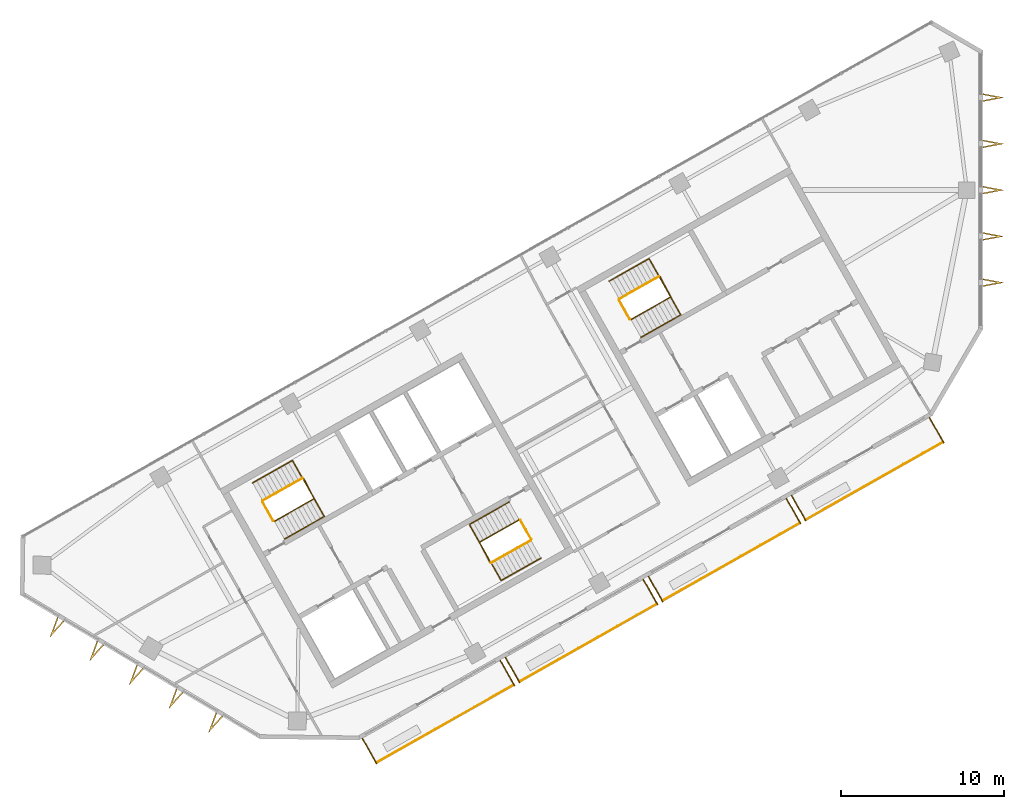
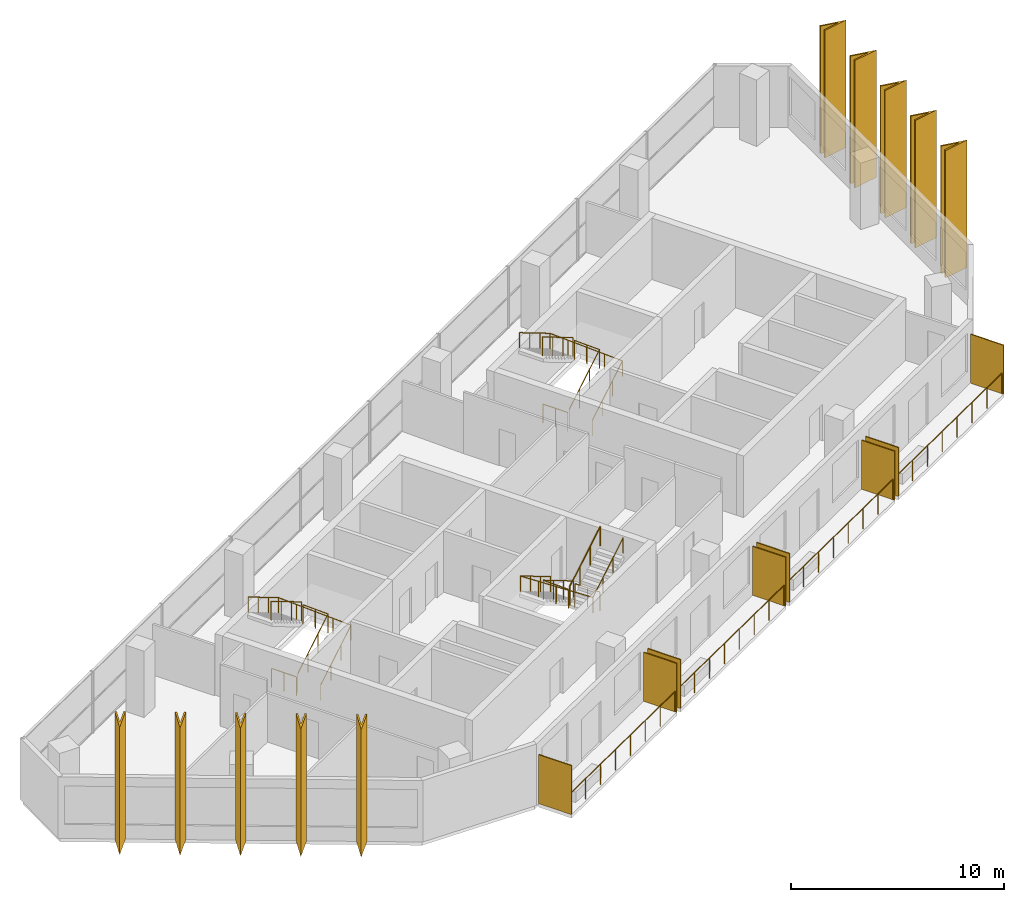
# One storey, part 9 of 10: 18 shading devices, 16 railings.
"""IFC4 building model written with IfcOpenShell, lengths in metres."""

from ifc_helpers import new_model, si_unit, direction, frame, origin, origin_2d, place, context, subcontext, project, spatial, polyline, rectangle, circle, outline, extrude, material, layer, layer_set, type_object, element, save


model = new_model("IFC4")

# Units and contexts
model_context = context("Model", 3, precision=1e-05, world=origin(), true_north=direction((0.0, 1.0)))
body_context = subcontext(model_context, "Body", "Model", "MODEL_VIEW")
ifc_project = project(units=[si_unit("LENGTHUNIT", "METRE"), si_unit("AREAUNIT", "SQUARE_METRE"), si_unit("VOLUMEUNIT", "CUBIC_METRE"), si_unit("PLANEANGLEUNIT", "RADIAN"), si_unit("MASSUNIT", "GRAM", prefix="KILO")], contexts=[model_context])

# Site, building, storey
site_placement = place(None, origin())
site = spatial("IfcSite", under=ifc_project, at=site_placement, CompositionType="ELEMENT")
building_placement = place(site_placement, origin())
building = spatial("IfcBuilding", under=site, at=building_placement, Name="Binnacle Exchange Tower", CompositionType="ELEMENT")
storey_placement = place(building_placement, frame((0.0, 0.0, 339.300048828125)))
storey = spatial("IfcBuildingStorey", under=building, at=storey_placement, Name="L77", CompositionType="ELEMENT", Elevation=339.300048828125)

# Railings
ifc_material_1 = material(Name="Bronze anodised aluminium frame", Category="aluminium")
railing_type_1 = type_object("IfcRailingType", Name="GUARD 1200", PredefinedType="GUARDRAIL", material=ifc_material_1)
for number, where, name in (
    (1, (-37.006591796875, 24.94287109375, 0.0), "Balcony guard H07-B00 L77"),
    (2, (-28.24365234375, 29.900634765625, 0.0), "Balcony guard H07-B01 L77"),
):
    element("IfcRailing", number, at=place(storey_placement, frame(where)), inside=storey, type_object=railing_type_1, Name=name, PredefinedType="GUARDRAIL", context=body_context, shape_type="SweptSolid", body=[
        extrude(circle(Radius=0.02392578125, at=origin_2d()), frame((0.0, 0.0, 1.17578125), z_axis=(0.870359171481, 0.492417417055, 0.0), x_axis=(-0.492417417055, 0.870359171481, 0.0)), (0.0, 0.0, 1.0), 9.648193359375),
        extrude(circle(Radius=0.02099609375, at=origin_2d()), origin(), (0.0, 0.0, 1.0), 1.15185546875),
        extrude(circle(Radius=0.02099609375, at=origin_2d()), frame((1.19970703125, 0.6787109375, 0.0)), (0.0, 0.0, 1.0), 1.15185546875),
        extrude(circle(Radius=0.02099609375, at=origin_2d()), frame((2.399169921875, 1.357421875, 0.0)), (0.0, 0.0, 1.0), 1.15185546875),
        extrude(circle(Radius=0.02099609375, at=origin_2d()), frame((3.598876953125, 2.0361328125, 0.0)), (0.0, 0.0, 1.0), 1.15185546875),
        extrude(circle(Radius=0.02099609375, at=origin_2d()), frame((4.798583984375, 2.71484375, 0.0)), (0.0, 0.0, 1.0), 1.15185546875),
        extrude(circle(Radius=0.02099609375, at=origin_2d()), frame((5.998291015625, 3.3935546875, 0.0)), (0.0, 0.0, 1.0), 1.15185546875),
        extrude(circle(Radius=0.02099609375, at=origin_2d()), frame((7.19775390625, 4.072265625, 0.0)), (0.0, 0.0, 1.0), 1.15185546875),
        extrude(circle(Radius=0.02099609375, at=origin_2d()), frame((8.3974609375, 4.7509765625, 0.0)), (0.0, 0.0, 1.0), 1.15185546875),
    ])
railing_1_placement = place(storey_placement, frame((-19.480712890625, 34.8583984375, 0.0)))
element("IfcRailing", 3, at=railing_1_placement, inside=storey, type_object=railing_type_1, Name="Balcony guard H07-B02 L77", PredefinedType="GUARDRAIL", context=body_context, shape_type="SweptSolid", body=[
    extrude(circle(Radius=0.02392578125, at=origin_2d()), frame((0.0, 0.0, 1.17578125), z_axis=(0.870342190373, 0.492447430349, 0.0), x_axis=(-0.492447430349, 0.870342190373, 0.0)), (0.0, 0.0, 1.0), 9.648193359375),
    extrude(circle(Radius=0.02099609375, at=origin_2d()), origin(), (0.0, 0.0, 1.0), 1.15185546875),
    extrude(circle(Radius=0.02099609375, at=origin_2d()), frame((1.19970703125, 0.6787109375, 0.0)), (0.0, 0.0, 1.0), 1.15185546875),
    extrude(circle(Radius=0.02099609375, at=origin_2d()), frame((2.399169921875, 1.357421875, 0.0)), (0.0, 0.0, 1.0), 1.15185546875),
    extrude(circle(Radius=0.02099609375, at=origin_2d()), frame((3.598876953125, 2.0361328125, 0.0)), (0.0, 0.0, 1.0), 1.15185546875),
    extrude(circle(Radius=0.02099609375, at=origin_2d()), frame((4.79833984375, 2.715087890625, 0.0)), (0.0, 0.0, 1.0), 1.15185546875),
    extrude(circle(Radius=0.02099609375, at=origin_2d()), frame((5.998046875, 3.393798828125, 0.0)), (0.0, 0.0, 1.0), 1.15185546875),
    extrude(circle(Radius=0.02099609375, at=origin_2d()), frame((7.197509765625, 4.072509765625, 0.0)), (0.0, 0.0, 1.0), 1.15185546875),
    extrude(circle(Radius=0.02099609375, at=origin_2d()), frame((8.397216796875, 4.751220703125, 0.0)), (0.0, 0.0, 1.0), 1.15185546875),
])
railing_2_placement = place(storey_placement, frame((-10.7177734375, 39.81640625, 0.0)))
element("IfcRailing", 4, at=railing_2_placement, inside=storey, type_object=railing_type_1, Name="Balcony guard H07-B03 L77", PredefinedType="GUARDRAIL", context=body_context, shape_type="SweptSolid", body=[
    extrude(circle(Radius=0.02392578125, at=origin_2d()), frame((0.0, 0.0, 1.17578125), z_axis=(0.870353035673, 0.492428262079, 0.0), x_axis=(-0.492428262079, 0.870353035673, 0.0)), (0.0, 0.0, 1.0), 9.64794921875),
    extrude(circle(Radius=0.02099609375, at=origin_2d()), origin(), (0.0, 0.0, 1.0), 1.15185546875),
    extrude(circle(Radius=0.02099609375, at=origin_2d()), frame((1.19970703125, 0.6787109375, 0.0)), (0.0, 0.0, 1.0), 1.15185546875),
    extrude(circle(Radius=0.02099609375, at=origin_2d()), frame((2.399169921875, 1.357421875, 0.0)), (0.0, 0.0, 1.0), 1.15185546875),
    extrude(circle(Radius=0.02099609375, at=origin_2d()), frame((3.598876953125, 2.0361328125, 0.0)), (0.0, 0.0, 1.0), 1.15185546875),
    extrude(circle(Radius=0.02099609375, at=origin_2d()), frame((4.79833984375, 2.71484375, 0.0)), (0.0, 0.0, 1.0), 1.15185546875),
    extrude(circle(Radius=0.02099609375, at=origin_2d()), frame((5.998046875, 3.3935546875, 0.0)), (0.0, 0.0, 1.0), 1.15185546875),
    extrude(circle(Radius=0.02099609375, at=origin_2d()), frame((7.197509765625, 4.072265625, 0.0)), (0.0, 0.0, 1.0), 1.15185546875),
    extrude(circle(Radius=0.02099609375, at=origin_2d()), frame((8.397216796875, 4.7509765625, 0.0)), (0.0, 0.0, 1.0), 1.15185546875),
])

# Shading devices
ifc_material_2 = material(Name="Bronze aluminium louvre", Category="aluminium")
ifc_layer = layer(ifc_material_2, 0.06005859375)
ifc_layer_set = layer_set([ifc_layer], Name="PLANTED SCREEN 60x2800")
shading_device_type_1 = type_object("IfcShadingDeviceType", Name="PLANTED SCREEN 60x2800", PredefinedType="USERDEFINED", material=ifc_layer_set)
for number, where, z_axis, x_axis, name in (
    (5, (-37.436279296875, 25.641845703125, 0.0), (0.0, 0.0, 1.0), (0.87035569594, 0.492423560103, 0.0), "Planted screen H07-B00a L77"),
    (6, (-28.98681640625, 30.42236328125, 0.0), (0.0, 0.0, 1.0), (0.87035569594, 0.492423560103, 0.0), "Planted screen H07-B00b L77"),
    (7, (-28.673583984375, 30.599609375, 0.0), (0.0, 0.0, 1.0), (0.87035569594, 0.492423560103, 0.0), "Planted screen H07-B01a L77"),
    (8, (-20.223876953125, 35.380126953125, 0.0), (0.0, 0.0, 1.0), (0.87035569594, 0.492423560103, 0.0), "Planted screen H07-B01b L77"),
    (9, (-19.91064453125, 35.5576171875, 0.0), (0.0, 0.0, 1.0), (0.87035569594, 0.492423560103, 0.0), "Planted screen H07-B02a L77"),
    (10, (-11.461181640625, 40.337890625, 0.0), (0.0, 0.0, 1.0), (0.87035569594, 0.492423560103, 0.0), "Planted screen H07-B02b L77"),
    (11, (-11.147705078125, 40.51513671875, 0.0), (0.0, 0.0, 1.0), (0.87035569594, 0.492423560103, 0.0), "Planted screen H07-B03a L77"),
    (12, (-2.697998046875, 45.2958984375, 0.0), (0.0, 0.0, 1.0), (0.87035569594, 0.492423560103, 0.0), "Planted screen H07-B03b L77"),
):
    element("IfcShadingDevice", number, at=place(storey_placement, frame(where, z_axis=z_axis, x_axis=x_axis)), inside=storey, type_object=shading_device_type_1, Name=name, ObjectType="SCREEN", PredefinedType="USERDEFINED", context=body_context, shape_type="SweptSolid", body=[
        extrude(rectangle(XDim=0.06005859375, YDim=1.800048828125, at=origin_2d()), origin(), (0.0, 0.0, 1.0), 2.800048828125),
    ])

# Railings
ifc_material_3 = material(Name="Steel guard rail", Category="steel")
railing_type_2 = type_object("IfcRailingType", Name="STAIR GUARD 1100", PredefinedType="GUARDRAIL", material=ifc_material_3)
railing_3_placement = place(storey_placement, frame((-43.26171875, 39.71728515625, 0.172607421875)))
element("IfcRailing", 13, at=railing_3_placement, inside=storey, type_object=railing_type_2, Name="L77 STA1 stair guard 1", PredefinedType="GUARDRAIL", context=body_context, shape_type="SweptSolid", body=[
    extrude(circle(Radius=0.02392578125, at=origin_2d()), frame((0.0, 0.0, 1.076171875), z_axis=(0.740737961854, 0.419123222656, 0.525017138862), x_axis=(-0.492453686477, 0.870338650569, 0.0)), (0.0, 0.0, 1.0), 3.2900390625),
    extrude(circle(Radius=0.02392578125, at=origin_2d()), frame((2.43701171875, 1.37890625, 2.80322265625), z_axis=(-0.461100321709, 0.887348011391, 0.0), x_axis=(-0.887348011391, -0.461100321709, 0.0)), (0.0, 0.0, 1.0), 1.40087890625),
    extrude(circle(Radius=0.02099609375, at=origin_2d()), origin(), (0.0, 0.0, 1.0), 1.052001953125),
    extrude(circle(Radius=0.02099609375, at=origin_2d()), frame((0.812255859375, 0.459716796875, 0.57568359375)), (0.0, 0.0, 1.0), 1.052001953125),
    extrude(circle(Radius=0.02099609375, at=origin_2d()), frame((1.624755859375, 0.919189453125, 1.151611328125)), (0.0, 0.0, 1.0), 1.052001953125),
    extrude(circle(Radius=0.02099609375, at=origin_2d()), frame((2.43701171875, 1.37890625, 1.727294921875)), (0.0, 0.0, 1.0), 1.052001953125),
    extrude(circle(Radius=0.02099609375, at=origin_2d()), frame((2.114013671875, 2.00048828125, 1.727294921875)), (0.0, 0.0, 1.0), 1.052001953125),
    extrude(circle(Radius=0.02099609375, at=origin_2d()), frame((1.791015625, 2.6220703125, 1.727294921875)), (0.0, 0.0, 1.0), 1.052001953125),
])
railing_4_placement = place(storey_placement, frame((-41.538818359375, 42.358154296875, 2.07275390625)))
element("IfcRailing", 14, at=railing_4_placement, inside=storey, type_object=railing_type_2, Name="L77 STA1 stair guard 2", PredefinedType="GUARDRAIL", context=body_context, shape_type="SweptSolid", body=[
    extrude(circle(Radius=0.02392578125, at=origin_2d()), frame((0.0, 0.0, 1.076171875), z_axis=(-0.740737961854, -0.419123222656, 0.525017138862), x_axis=(0.492453686477, -0.870338650569, 0.0)), (0.0, 0.0, 1.0), 3.2900390625),
    extrude(circle(Radius=0.02099609375, at=origin_2d()), origin(), (0.0, 0.0, 1.0), 1.052001953125),
    extrude(circle(Radius=0.02099609375, at=origin_2d()), frame((-0.812255859375, -0.459716796875, 0.57568359375)), (0.0, 0.0, 1.0), 1.052001953125),
    extrude(circle(Radius=0.02099609375, at=origin_2d()), frame((-1.624755859375, -0.919189453125, 1.151611328125)), (0.0, 0.0, 1.0), 1.052001953125),
    extrude(circle(Radius=0.02099609375, at=origin_2d()), frame((-2.43701171875, -1.37890625, 1.727294921875)), (0.0, 0.0, 1.0), 1.052001953125),
])
railing_5_placement = place(storey_placement, frame((-43.329833984375, 39.736328125, 0.0)))
element("IfcRailing", 15, at=railing_5_placement, inside=storey, type_object=railing_type_2, Name="L77 STA1 stair guard 3", PredefinedType="GUARDRAIL", context=body_context, shape_type="SweptSolid", body=[
    extrude(circle(Radius=0.02392578125, at=origin_2d()), frame((0.0, 0.0, 1.076171875), z_axis=(-0.4924922531, 0.870316827734, 0.0), x_axis=(-0.870316827734, -0.4924922531, 0.0)), (0.0, 0.0, 1.0), 1.349853515625),
    extrude(circle(Radius=0.02099609375, at=origin_2d()), origin(), (0.0, 0.0, 1.0), 1.052001953125),
    extrude(circle(Radius=0.02099609375, at=origin_2d()), frame((-0.33251953125, 0.58740234375, 0.0)), (0.0, 0.0, 1.0), 1.052001953125),
    extrude(circle(Radius=0.02099609375, at=origin_2d()), frame((-0.664794921875, 1.1748046875, 0.0)), (0.0, 0.0, 1.0), 1.052001953125),
])
railing_6_placement = place(storey_placement, frame((-28.265380859375, 39.814453125, 0.172607421875)))
element("IfcRailing", 16, at=railing_6_placement, inside=storey, type_object=railing_type_2, Name="L77 STA2 stair guard 1", PredefinedType="GUARDRAIL", context=body_context, shape_type="SweptSolid", body=[
    extrude(circle(Radius=0.02392578125, at=origin_2d()), frame((0.0, 0.0, 1.076171875), z_axis=(-0.740760999345, -0.419062048017, 0.525033467278), x_axis=(0.492387636113, -0.870376019777, 0.0)), (0.0, 0.0, 1.0), 3.289794921875),
    extrude(circle(Radius=0.02392578125, at=origin_2d()), frame((-2.43701171875, -1.378662109375, 2.80322265625), z_axis=(0.460963092712, -0.887419307406, 0.0), x_axis=(0.887419307406, 0.460963092712, 0.0)), (0.0, 0.0, 1.0), 1.40087890625),
    extrude(circle(Radius=0.02099609375, at=origin_2d()), origin(), (0.0, 0.0, 1.0), 1.052001953125),
    extrude(circle(Radius=0.02099609375, at=origin_2d()), frame((-0.812255859375, -0.45947265625, 0.57568359375)), (0.0, 0.0, 1.0), 1.052001953125),
    extrude(circle(Radius=0.02099609375, at=origin_2d()), frame((-1.624755859375, -0.919189453125, 1.151611328125)), (0.0, 0.0, 1.0), 1.052001953125),
    extrude(circle(Radius=0.02099609375, at=origin_2d()), frame((-2.43701171875, -1.378662109375, 1.727294921875)), (0.0, 0.0, 1.0), 1.052001953125),
    extrude(circle(Radius=0.02099609375, at=origin_2d()), frame((-2.1142578125, -2.000244140625, 1.727294921875)), (0.0, 0.0, 1.0), 1.052001953125),
    extrude(circle(Radius=0.02099609375, at=origin_2d()), frame((-1.791259765625, -2.621826171875, 1.727294921875)), (0.0, 0.0, 1.0), 1.052001953125),
])
railing_7_placement = place(storey_placement, frame((-29.988525390625, 37.173583984375, 2.07275390625)))
element("IfcRailing", 17, at=railing_7_placement, inside=storey, type_object=railing_type_2, Name="L77 STA2 stair guard 2", PredefinedType="GUARDRAIL", context=body_context, shape_type="SweptSolid", body=[
    extrude(circle(Radius=0.02392578125, at=origin_2d()), frame((0.0, 0.0, 1.076171875), z_axis=(0.740737961854, 0.419123222656, 0.525017138862), x_axis=(-0.492453686477, 0.870338650569, 0.0)), (0.0, 0.0, 1.0), 3.2900390625),
    extrude(circle(Radius=0.02099609375, at=origin_2d()), origin(), (0.0, 0.0, 1.0), 1.052001953125),
    extrude(circle(Radius=0.02099609375, at=origin_2d()), frame((0.812255859375, 0.459716796875, 0.57568359375)), (0.0, 0.0, 1.0), 1.052001953125),
    extrude(circle(Radius=0.02099609375, at=origin_2d()), frame((1.624755859375, 0.919189453125, 1.151611328125)), (0.0, 0.0, 1.0), 1.052001953125),
    extrude(circle(Radius=0.02099609375, at=origin_2d()), frame((2.43701171875, 1.37890625, 1.727294921875)), (0.0, 0.0, 1.0), 1.052001953125),
])
railing_8_placement = place(storey_placement, frame((-28.197265625, 39.795654296875, 0.0)))
element("IfcRailing", 18, at=railing_8_placement, inside=storey, type_object=railing_type_2, Name="L77 STA2 stair guard 3", PredefinedType="GUARDRAIL", context=body_context, shape_type="SweptSolid", body=[
    extrude(circle(Radius=0.02392578125, at=origin_2d()), frame((0.0, 0.0, 1.076171875), z_axis=(0.49241474071, -0.870360685654, 0.0), x_axis=(0.870360685654, 0.49241474071, 0.0)), (0.0, 0.0, 1.0), 1.35009765625),
    extrude(circle(Radius=0.02099609375, at=origin_2d()), origin(), (0.0, 0.0, 1.0), 1.052001953125),
    extrude(circle(Radius=0.02099609375, at=origin_2d()), frame((0.33251953125, -0.58740234375, 0.0)), (0.0, 0.0, 1.0), 1.052001953125),
    extrude(circle(Radius=0.02099609375, at=origin_2d()), frame((0.664794921875, -1.175048828125, 0.0)), (0.0, 0.0, 1.0), 1.052001953125),
])
railing_9_placement = place(storey_placement, frame((-21.423828125, 52.07275390625, 0.172607421875)))
element("IfcRailing", 19, at=railing_9_placement, inside=storey, type_object=railing_type_2, Name="L77 STC1 stair guard 1", PredefinedType="GUARDRAIL", context=body_context, shape_type="SweptSolid", body=[
    extrude(circle(Radius=0.02392578125, at=origin_2d()), frame((0.0, 0.0, 1.076171875), z_axis=(0.740760999345, 0.419062048017, 0.525033467278), x_axis=(-0.492387636113, 0.870376019777, 0.0)), (0.0, 0.0, 1.0), 3.289794921875),
    extrude(circle(Radius=0.02392578125, at=origin_2d()), frame((2.43701171875, 1.378662109375, 2.80322265625), z_axis=(-0.460963092712, 0.887419307406, 0.0), x_axis=(-0.887419307406, -0.460963092712, 0.0)), (0.0, 0.0, 1.0), 1.40087890625),
    extrude(circle(Radius=0.02099609375, at=origin_2d()), origin(), (0.0, 0.0, 1.0), 1.052001953125),
    extrude(circle(Radius=0.02099609375, at=origin_2d()), frame((0.812255859375, 0.45947265625, 0.57568359375)), (0.0, 0.0, 1.0), 1.052001953125),
    extrude(circle(Radius=0.02099609375, at=origin_2d()), frame((1.624755859375, 0.919189453125, 1.151611328125)), (0.0, 0.0, 1.0), 1.052001953125),
    extrude(circle(Radius=0.02099609375, at=origin_2d()), frame((2.43701171875, 1.378662109375, 1.727294921875)), (0.0, 0.0, 1.0), 1.052001953125),
    extrude(circle(Radius=0.02099609375, at=origin_2d()), frame((2.1142578125, 2.000244140625, 1.727294921875)), (0.0, 0.0, 1.0), 1.052001953125),
    extrude(circle(Radius=0.02099609375, at=origin_2d()), frame((1.791259765625, 2.621826171875, 1.727294921875)), (0.0, 0.0, 1.0), 1.052001953125),
])
railing_10_placement = place(storey_placement, frame((-19.70068359375, 54.71337890625, 2.07275390625)))
element("IfcRailing", 20, at=railing_10_placement, inside=storey, type_object=railing_type_2, Name="L77 STC1 stair guard 2", PredefinedType="GUARDRAIL", context=body_context, shape_type="SweptSolid", body=[
    extrude(circle(Radius=0.02392578125, at=origin_2d()), frame((0.0, 0.0, 1.076171875), z_axis=(-0.740760999345, -0.419062048017, 0.525033467278), x_axis=(0.492387636113, -0.870376019777, 0.0)), (0.0, 0.0, 1.0), 3.289794921875),
    extrude(circle(Radius=0.02099609375, at=origin_2d()), origin(), (0.0, 0.0, 1.0), 1.052001953125),
    extrude(circle(Radius=0.02099609375, at=origin_2d()), frame((-0.812255859375, -0.45947265625, 0.57568359375)), (0.0, 0.0, 1.0), 1.052001953125),
    extrude(circle(Radius=0.02099609375, at=origin_2d()), frame((-1.624755859375, -0.919189453125, 1.151611328125)), (0.0, 0.0, 1.0), 1.052001953125),
    extrude(circle(Radius=0.02099609375, at=origin_2d()), frame((-2.43701171875, -1.378662109375, 1.727294921875)), (0.0, 0.0, 1.0), 1.052001953125),
])
railing_11_placement = place(storey_placement, frame((-21.491943359375, 52.091552734375, 0.0)))
element("IfcRailing", 21, at=railing_11_placement, inside=storey, type_object=railing_type_2, Name="L77 STC1 stair guard 3", PredefinedType="GUARDRAIL", context=body_context, shape_type="SweptSolid", body=[
    extrude(circle(Radius=0.02392578125, at=origin_2d()), frame((0.0, 0.0, 1.076171875), z_axis=(-0.49241474071, 0.870360685654, 0.0), x_axis=(-0.870360685654, -0.49241474071, 0.0)), (0.0, 0.0, 1.0), 1.35009765625),
    extrude(circle(Radius=0.02099609375, at=origin_2d()), origin(), (0.0, 0.0, 1.0), 1.052001953125),
    extrude(circle(Radius=0.02099609375, at=origin_2d()), frame((-0.33251953125, 0.58740234375, 0.0)), (0.0, 0.0, 1.0), 1.052001953125),
    extrude(circle(Radius=0.02099609375, at=origin_2d()), frame((-0.664794921875, 1.175048828125, 0.0)), (0.0, 0.0, 1.0), 1.052001953125),
])
ifc_material_4 = material(Name="Steel handrail", Category="steel")
railing_type_3 = type_object("IfcRailingType", Name="STAIR HANDRAIL 900", PredefinedType="HANDRAIL", material=ifc_material_4)
railing_12_placement = place(storey_placement, frame((-42.646240234375, 38.62939453125, 0.172607421875)))
element("IfcRailing", 22, at=railing_12_placement, inside=storey, type_object=railing_type_3, Name="L77 STA1 stair handrail 1", PredefinedType="HANDRAIL", context=body_context, shape_type="SweptSolid", body=[
    extrude(circle(Radius=0.02392578125, at=origin_2d()), frame((0.0, 0.0, 0.8759765625), z_axis=(0.740760999345, 0.419062048017, 0.525033467278), x_axis=(-0.492387636113, 0.870376019777, 0.0)), (0.0, 0.0, 1.0), 3.289794921875),
    extrude(circle(Radius=0.02392578125, at=origin_2d()), frame((2.43701171875, 1.378662109375, 2.60302734375), z_axis=(-0.491942846455, 0.869529203437, 0.043717275673), x_axis=(-0.870361318571, -0.492413622004, 0.0)), (0.0, 0.0, 1.0), 3.953857421875),
    extrude(circle(Radius=0.02392578125, at=origin_2d()), frame((0.491943359375, 4.816650390625, 2.77587890625), z_axis=(-0.740760999345, -0.419062048017, 0.525033467278), x_axis=(0.492387636113, -0.870376019777, 0.0)), (0.0, 0.0, 1.0), 3.289794921875),
    extrude(circle(Radius=0.02099609375, at=origin_2d()), origin(), (0.0, 0.0, 1.0), 0.851806640625),
    extrude(circle(Radius=0.02099609375, at=origin_2d()), frame((0.812255859375, 0.45947265625, 0.57568359375)), (0.0, 0.0, 1.0), 0.851806640625),
    extrude(circle(Radius=0.02099609375, at=origin_2d()), frame((1.624755859375, 0.919189453125, 1.151611328125)), (0.0, 0.0, 1.0), 0.851806640625),
    extrude(circle(Radius=0.02099609375, at=origin_2d()), frame((2.43701171875, 1.378662109375, 1.727294921875)), (0.0, 0.0, 1.0), 0.851806640625),
    extrude(circle(Radius=0.02099609375, at=origin_2d()), frame((1.95068359375, 2.23828125, 1.7705078125)), (0.0, 0.0, 1.0), 0.851806640625),
    extrude(circle(Radius=0.02099609375, at=origin_2d()), frame((1.46435546875, 3.09765625, 1.813720703125)), (0.0, 0.0, 1.0), 0.851806640625),
    extrude(circle(Radius=0.02099609375, at=origin_2d()), frame((0.978271484375, 3.95703125, 1.85693359375)), (0.0, 0.0, 1.0), 0.851806640625),
    extrude(circle(Radius=0.02099609375, at=origin_2d()), frame((0.491943359375, 4.816650390625, 1.900146484375)), (0.0, 0.0, 1.0), 0.851806640625),
    extrude(circle(Radius=0.02099609375, at=origin_2d()), frame((-0.3203125, 4.357177734375, 2.475830078125)), (0.0, 0.0, 1.0), 0.851806640625),
    extrude(circle(Radius=0.02099609375, at=origin_2d()), frame((-1.1328125, 3.8974609375, 3.0517578125)), (0.0, 0.0, 1.0), 0.851806640625),
    extrude(circle(Radius=0.02099609375, at=origin_2d()), frame((-1.945068359375, 3.43798828125, 3.62744140625)), (0.0, 0.0, 1.0), 0.851806640625),
])
railing_13_placement = place(storey_placement, frame((-28.880859375, 40.90234375, 0.172607421875)))
element("IfcRailing", 23, at=railing_13_placement, inside=storey, type_object=railing_type_3, Name="L77 STA2 stair handrail 1", PredefinedType="HANDRAIL", context=body_context, shape_type="SweptSolid", body=[
    extrude(circle(Radius=0.02392578125, at=origin_2d()), frame((0.0, 0.0, 0.8759765625), z_axis=(-0.740760999345, -0.419062048017, 0.525033467278), x_axis=(0.492387636113, -0.870376019777, 0.0)), (0.0, 0.0, 1.0), 3.289794921875),
    extrude(circle(Radius=0.02392578125, at=origin_2d()), frame((-2.43701171875, -1.378662109375, 2.60302734375), z_axis=(0.491942846455, -0.869529203437, 0.043717275673), x_axis=(0.870361318571, 0.492413622004, 0.0)), (0.0, 0.0, 1.0), 3.953857421875),
    extrude(circle(Radius=0.02392578125, at=origin_2d()), frame((-0.491943359375, -4.816650390625, 2.77587890625), z_axis=(0.740737961854, 0.419123222656, 0.525017138862), x_axis=(-0.492453686477, 0.870338650569, 0.0)), (0.0, 0.0, 1.0), 3.2900390625),
    extrude(circle(Radius=0.02099609375, at=origin_2d()), origin(), (0.0, 0.0, 1.0), 0.851806640625),
    extrude(circle(Radius=0.02099609375, at=origin_2d()), frame((-0.812255859375, -0.45947265625, 0.57568359375)), (0.0, 0.0, 1.0), 0.851806640625),
    extrude(circle(Radius=0.02099609375, at=origin_2d()), frame((-1.624755859375, -0.919189453125, 1.151611328125)), (0.0, 0.0, 1.0), 0.851806640625),
    extrude(circle(Radius=0.02099609375, at=origin_2d()), frame((-2.43701171875, -1.378662109375, 1.727294921875)), (0.0, 0.0, 1.0), 0.851806640625),
    extrude(circle(Radius=0.02099609375, at=origin_2d()), frame((-1.95068359375, -2.23828125, 1.7705078125)), (0.0, 0.0, 1.0), 0.851806640625),
    extrude(circle(Radius=0.02099609375, at=origin_2d()), frame((-1.46435546875, -3.09765625, 1.813720703125)), (0.0, 0.0, 1.0), 0.851806640625),
    extrude(circle(Radius=0.02099609375, at=origin_2d()), frame((-0.978271484375, -3.95703125, 1.85693359375)), (0.0, 0.0, 1.0), 0.851806640625),
    extrude(circle(Radius=0.02099609375, at=origin_2d()), frame((-0.491943359375, -4.816650390625, 1.900146484375)), (0.0, 0.0, 1.0), 0.851806640625),
    extrude(circle(Radius=0.02099609375, at=origin_2d()), frame((0.3203125, -4.35693359375, 2.475830078125)), (0.0, 0.0, 1.0), 0.851806640625),
    extrude(circle(Radius=0.02099609375, at=origin_2d()), frame((1.1328125, -3.8974609375, 3.0517578125)), (0.0, 0.0, 1.0), 0.851806640625),
    extrude(circle(Radius=0.02099609375, at=origin_2d()), frame((1.945068359375, -3.437744140625, 3.62744140625)), (0.0, 0.0, 1.0), 0.851806640625),
])
railing_14_placement = place(storey_placement, frame((-20.808349609375, 50.984619140625, 0.172607421875)))
element("IfcRailing", 24, at=railing_14_placement, inside=storey, type_object=railing_type_3, Name="L77 STC1 stair handrail 1", PredefinedType="HANDRAIL", context=body_context, shape_type="SweptSolid", body=[
    extrude(circle(Radius=0.02392578125, at=origin_2d()), frame((0.0, 0.0, 0.8759765625), z_axis=(0.740737961854, 0.419123222656, 0.525017138862), x_axis=(-0.492453686477, 0.870338650569, 0.0)), (0.0, 0.0, 1.0), 3.2900390625),
    extrude(circle(Radius=0.02392578125, at=origin_2d()), frame((2.43701171875, 1.37890625, 2.60302734375), z_axis=(-0.491969260701, 0.869514140822, 0.043719623017), x_axis=(-0.87034633103, -0.492440112159, 0.0)), (0.0, 0.0, 1.0), 3.95361328125),
    extrude(circle(Radius=0.02392578125, at=origin_2d()), frame((0.491943359375, 4.816650390625, 2.77587890625), z_axis=(-0.740760999345, -0.419062048017, 0.525033467278), x_axis=(0.492387636113, -0.870376019777, 0.0)), (0.0, 0.0, 1.0), 3.289794921875),
    extrude(circle(Radius=0.02099609375, at=origin_2d()), origin(), (0.0, 0.0, 1.0), 0.851806640625),
    extrude(circle(Radius=0.02099609375, at=origin_2d()), frame((0.812255859375, 0.459716796875, 0.57568359375)), (0.0, 0.0, 1.0), 0.851806640625),
    extrude(circle(Radius=0.02099609375, at=origin_2d()), frame((1.624755859375, 0.919189453125, 1.151611328125)), (0.0, 0.0, 1.0), 0.851806640625),
    extrude(circle(Radius=0.02099609375, at=origin_2d()), frame((2.43701171875, 1.37890625, 1.727294921875)), (0.0, 0.0, 1.0), 0.851806640625),
    extrude(circle(Radius=0.02099609375, at=origin_2d()), frame((1.95068359375, 2.23828125, 1.7705078125)), (0.0, 0.0, 1.0), 0.851806640625),
    extrude(circle(Radius=0.02099609375, at=origin_2d()), frame((1.46435546875, 3.09765625, 1.813720703125)), (0.0, 0.0, 1.0), 0.851806640625),
    extrude(circle(Radius=0.02099609375, at=origin_2d()), frame((0.978271484375, 3.957275390625, 1.85693359375)), (0.0, 0.0, 1.0), 0.851806640625),
    extrude(circle(Radius=0.02099609375, at=origin_2d()), frame((0.491943359375, 4.816650390625, 1.900146484375)), (0.0, 0.0, 1.0), 0.851806640625),
    extrude(circle(Radius=0.02099609375, at=origin_2d()), frame((-0.3203125, 4.357177734375, 2.475830078125)), (0.0, 0.0, 1.0), 0.851806640625),
    extrude(circle(Radius=0.02099609375, at=origin_2d()), frame((-1.1328125, 3.8974609375, 3.0517578125)), (0.0, 0.0, 1.0), 0.851806640625),
    extrude(circle(Radius=0.02099609375, at=origin_2d()), frame((-1.945068359375, 3.43798828125, 3.62744140625)), (0.0, 0.0, 1.0), 0.851806640625),
])

# Shading devices
ifc_material_5 = material(Name="Bronze aluminium cladding", Category="aluminium")
shading_device_type_2 = type_object("IfcShadingDeviceType", Name="V FIN 1300 DEEP x 7300 HIGH", PredefinedType="USERDEFINED", material=ifc_material_5)
shading_device_1_placement = place(storey_placement, origin())
element("IfcShadingDevice", 25, at=shading_device_1_placement, inside=storey, type_object=shading_device_type_2, Name="V fin FN-H01-01 L77", ObjectType="FIN", PredefinedType="USERDEFINED", context=body_context, shape_type="SweptSolid", body=[
    extrude(outline(polyline([(0.125, 54.083251953125), (1.425048828125, 54.333251953125), (0.125, 54.583251953125), (0.125, 54.501708984375), (1.00146484375, 54.333251953125), (0.125, 54.164794921875), (0.125, 54.083251953125)])), origin(), (0.0, 0.0, 1.0), 7.300048828125),
])
shading_device_2_placement = place(storey_placement, origin())
element("IfcShadingDevice", 26, at=shading_device_2_placement, inside=storey, type_object=shading_device_type_2, Name="V fin FN-H01-02 L77", ObjectType="FIN", PredefinedType="USERDEFINED", context=body_context, shape_type="SweptSolid", body=[
    extrude(outline(polyline([(0.125, 56.916748046875), (1.425048828125, 57.166748046875), (0.125, 57.416748046875), (0.125, 57.335205078125), (1.00146484375, 57.166748046875), (0.125, 56.998291015625), (0.125, 56.916748046875)])), origin(), (0.0, 0.0, 1.0), 7.300048828125),
])
shading_device_3_placement = place(storey_placement, origin())
element("IfcShadingDevice", 27, at=shading_device_3_placement, inside=storey, type_object=shading_device_type_2, Name="V fin FN-H01-03 L77", ObjectType="FIN", PredefinedType="USERDEFINED", context=body_context, shape_type="SweptSolid", body=[
    extrude(outline(polyline([(0.125, 59.75), (1.425048828125, 60.0), (0.125, 60.25), (0.125, 60.16845703125), (1.00146484375, 60.0), (0.125, 59.83154296875), (0.125, 59.75)])), origin(), (0.0, 0.0, 1.0), 7.300048828125),
])
shading_device_4_placement = place(storey_placement, origin())
element("IfcShadingDevice", 28, at=shading_device_4_placement, inside=storey, type_object=shading_device_type_2, Name="V fin FN-H01-04 L77", ObjectType="FIN", PredefinedType="USERDEFINED", context=body_context, shape_type="SweptSolid", body=[
    extrude(outline(polyline([(0.125, 62.583251953125), (1.425048828125, 62.833251953125), (0.125, 63.083251953125), (0.125, 63.001708984375), (1.00146484375, 62.833251953125), (0.125, 62.664794921875), (0.125, 62.583251953125)])), origin(), (0.0, 0.0, 1.0), 7.300048828125),
])
shading_device_5_placement = place(storey_placement, origin())
element("IfcShadingDevice", 29, at=shading_device_5_placement, inside=storey, type_object=shading_device_type_2, Name="V fin FN-H01-05 L77", ObjectType="FIN", PredefinedType="USERDEFINED", context=body_context, shape_type="SweptSolid", body=[
    extrude(outline(polyline([(0.125, 65.416748046875), (1.425048828125, 65.666748046875), (0.125, 65.916748046875), (0.125, 65.835205078125), (1.00146484375, 65.666748046875), (0.125, 65.498291015625), (0.125, 65.416748046875)])), origin(), (0.0, 0.0, 1.0), 7.300048828125),
])
shading_device_6_placement = place(storey_placement, origin())
element("IfcShadingDevice", 30, at=shading_device_6_placement, inside=storey, type_object=shading_device_type_2, Name="V fin FN-H05-01 L77", ObjectType="FIN", PredefinedType="USERDEFINED", context=body_context, shape_type="SweptSolid", body=[
    extrude(outline(polyline([(-56.566162109375, 33.842529296875), (-57.021240234375, 32.599365234375), (-56.137451171875, 33.5849609375), (-56.207275390625, 33.626953125), (-56.80322265625, 32.96240234375), (-56.496337890625, 33.800537109375), (-56.566162109375, 33.842529296875)])), origin(), (0.0, 0.0, 1.0), 7.300048828125),
])
shading_device_7_placement = place(storey_placement, origin())
element("IfcShadingDevice", 31, at=shading_device_7_placement, inside=storey, type_object=shading_device_type_2, Name="V fin FN-H05-02 L77", ObjectType="FIN", PredefinedType="USERDEFINED", context=body_context, shape_type="SweptSolid", body=[
    extrude(outline(polyline([(-54.137451171875, 32.38330078125), (-54.592529296875, 31.14013671875), (-53.708740234375, 32.12548828125), (-53.778564453125, 32.16748046875), (-54.37451171875, 31.503173828125), (-54.067626953125, 32.34130859375), (-54.137451171875, 32.38330078125)])), origin(), (0.0, 0.0, 1.0), 7.300048828125),
])
shading_device_8_placement = place(storey_placement, origin())
element("IfcShadingDevice", 32, at=shading_device_8_placement, inside=storey, type_object=shading_device_type_2, Name="V fin FN-H05-03 L77", ObjectType="FIN", PredefinedType="USERDEFINED", context=body_context, shape_type="SweptSolid", body=[
    extrude(outline(polyline([(-51.708740234375, 30.923828125), (-52.1640625, 29.680908203125), (-51.2802734375, 30.666259765625), (-51.35009765625, 30.708251953125), (-51.94580078125, 30.0439453125), (-51.638916015625, 30.8818359375), (-51.708740234375, 30.923828125)])), origin(), (0.0, 0.0, 1.0), 7.300048828125),
])
shading_device_9_placement = place(storey_placement, origin())
element("IfcShadingDevice", 33, at=shading_device_9_placement, inside=storey, type_object=shading_device_type_2, Name="V fin FN-H05-04 L77", ObjectType="FIN", PredefinedType="USERDEFINED", context=body_context, shape_type="SweptSolid", body=[
    extrude(outline(polyline([(-49.280029296875, 29.464599609375), (-49.7353515625, 28.2216796875), (-48.8515625, 29.20703125), (-48.92138671875, 29.2490234375), (-49.51708984375, 28.584716796875), (-49.210205078125, 29.422607421875), (-49.280029296875, 29.464599609375)])), origin(), (0.0, 0.0, 1.0), 7.300048828125),
])
shading_device_10_placement = place(storey_placement, origin())
element("IfcShadingDevice", 34, at=shading_device_10_placement, inside=storey, type_object=shading_device_type_2, Name="V fin FN-H05-05 L77", ObjectType="FIN", PredefinedType="USERDEFINED", context=body_context, shape_type="SweptSolid", body=[
    extrude(outline(polyline([(-46.8515625, 28.00537109375), (-47.306640625, 26.76220703125), (-46.4228515625, 27.747802734375), (-46.49267578125, 27.789794921875), (-47.088623046875, 27.12548828125), (-46.78173828125, 27.96337890625), (-46.8515625, 28.00537109375)])), origin(), (0.0, 0.0, 1.0), 7.300048828125),
])

save(model, "model.ifc")
